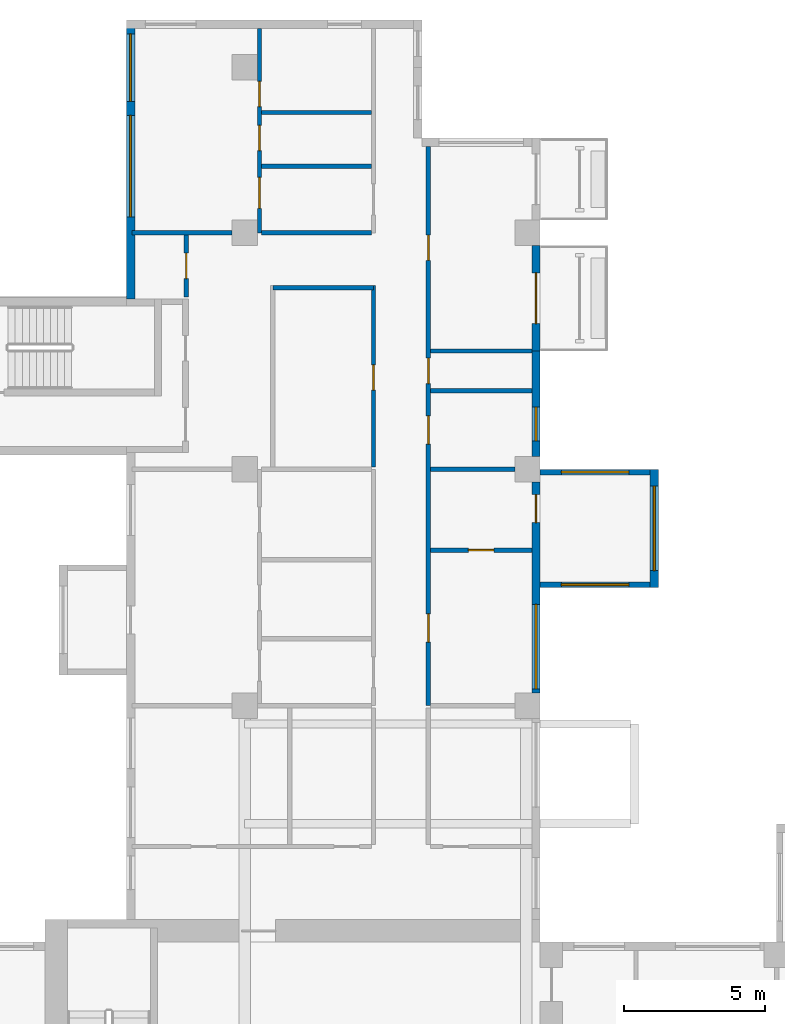
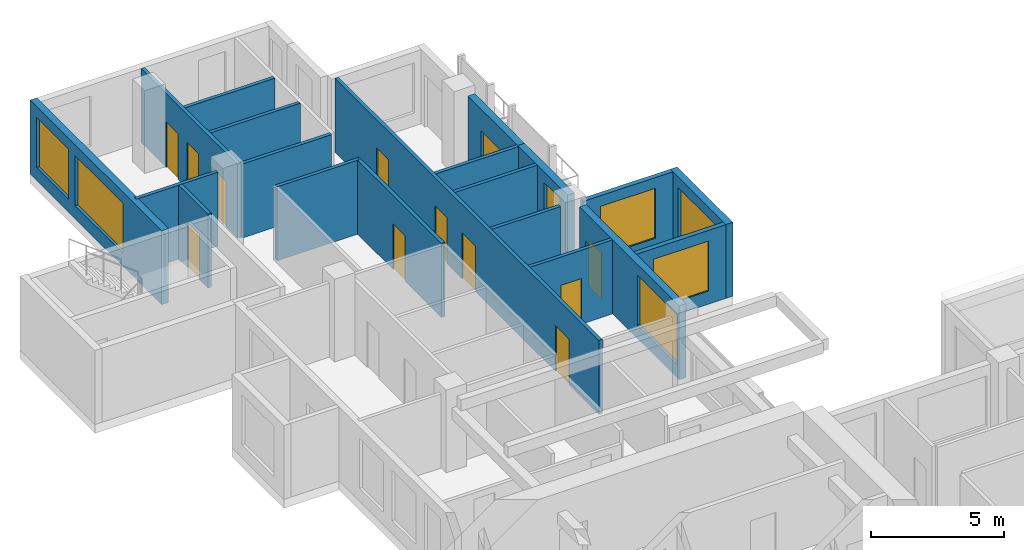
# One storey, part 7 of 11: 20 walls, 12 doors, 7 windows, 19 openings.
"""IFC4 building model written with IfcOpenShell, lengths in metres."""

from ifc_helpers import new_model, si_unit, direction, frame, frame_2d, origin, place, context, subcontext, project, spatial, rectangle, extrude, source, transform, mapped, material, layer, layer_set, type_object, element, fill, save


model = new_model("IFC4")

# Units and contexts
model_context = context("Model", 3, precision=1e-05, world=origin(), true_north=direction((0.0, 1.0)))
body_context = subcontext(model_context, "Body", "Model", "MODEL_VIEW")
ifc_project = project(units=[si_unit("LENGTHUNIT", "METRE"), si_unit("AREAUNIT", "SQUARE_METRE"), si_unit("VOLUMEUNIT", "CUBIC_METRE"), si_unit("PLANEANGLEUNIT", "RADIAN"), si_unit("MASSUNIT", "GRAM", prefix="KILO")], contexts=[model_context])

# Site, building, storey
site_placement = place(None, origin())
site = spatial("IfcSite", under=ifc_project, at=site_placement, CompositionType="ELEMENT")
building_placement = place(site_placement, origin())
building = spatial("IfcBuilding", under=site, at=building_placement, Name="Aurelian Terraces", CompositionType="ELEMENT")
storey_placement = place(building_placement, frame((0.0, 0.0, 208.2)))
storey = spatial("IfcBuildingStorey", under=building, at=storey_placement, Name="L46", CompositionType="ELEMENT", Elevation=208.2)

# Wall, openings, window, door
ifc_material_1 = material(Name="Terracotta rainscreen cladding", Category="masonry")
ifc_layer_1 = layer(ifc_material_1, 0.3)
ifc_layer_set_1 = layer_set([ifc_layer_1], Name="EW-300")
wall_type_1 = type_object("IfcWallType", Name="EW-300", PredefinedType="STANDARD", material=ifc_layer_set_1)
shared_shape_1 = source(origin(), body_context, "Body", "SweptSolid", [
    extrude(rectangle(XDim=7.5, YDim=0.3, at=frame_2d((3.75, 0.0))), origin(), (0.0, 0.0, 1.0), 3.4),
])
wall_1_placement = place(storey_placement, frame((20.85, 29.85, 0.0), z_axis=(0.0, 0.0, 1.0), x_axis=(0.0, 1.0, 0.0)))
wall_1 = element("IfcWall", 1, at=wall_1_placement, inside=storey, type_object=wall_type_1, Name="External wall L46 F12.23", PredefinedType="STANDARD", context=body_context, shape_type="MappedRepresentation", body=[
    mapped(shared_shape_1, transform((0.0, 0.0, 0.0), scale=1.0)),
])
shared_shape_2 = source(origin(), body_context, "Body", "SweptSolid", [
    extrude(rectangle(XDim=3.0, YDim=2.3, at=frame_2d((1.5, 1.15))), frame((0.0, 0.16, 0.0), z_axis=(0.0, -1.0, 0.0), x_axis=(1.0, 0.0, 0.0)), (0.0, 0.0, 1.0), 0.32),
])
opening_1_placement = place(wall_1_placement, frame((0.15, 0.0, 0.6)))
opening_1 = element("IfcOpeningElement", 2, at=opening_1_placement, cuts=wall_1, Name="Opening W3023", PredefinedType="OPENING", context=body_context, shape_type="MappedRepresentation", body=[
    mapped(shared_shape_2, transform((0.0, 0.0, 0.0), scale=1.0)),
])
shared_shape_3 = source(origin(), body_context, "Body", "SweptSolid", [
    extrude(rectangle(XDim=1.0, YDim=2.1, at=frame_2d((0.5, 1.05))), frame((0.0, 0.16, 0.0), z_axis=(0.0, -1.0, 0.0), x_axis=(1.0, 0.0, 0.0)), (0.0, 0.0, 1.0), 0.32),
])
opening_2_placement = place(wall_1_placement, frame((6.05, 0.0, 0.0)))
opening_2 = element("IfcOpeningElement", 3, at=opening_2_placement, cuts=wall_1, Name="Opening 846003", PredefinedType="OPENING", context=body_context, shape_type="MappedRepresentation", body=[
    mapped(shared_shape_3, transform((0.0, 0.0, 0.0), scale=1.0)),
])
ifc_material_2 = material(Name="Clear glazing", Category="glass")
window_type_1 = type_object("IfcWindowType", Name="W-3000x2300", PartitioningType="SINGLE_PANEL", PredefinedType="WINDOW", material=ifc_material_2)
shared_shape_4 = source(origin(), body_context, "Body", "SweptSolid", [
    extrude(rectangle(XDim=3.0, YDim=2.3, at=frame_2d((1.5, 1.15))), frame((0.0, 0.03, 0.0), z_axis=(0.0, -1.0, 0.0), x_axis=(1.0, 0.0, 0.0)), (0.0, 0.0, 1.0), 0.06),
])
window_1_placement = place(opening_1_placement, origin())
window_1 = element("IfcWindow", 4, at=window_1_placement, inside=storey, type_object=window_type_1, Name="Window L46 L46-F12-23-0", OverallHeight=2.3, OverallWidth=3.0, PartitioningType="SINGLE_PANEL", PredefinedType="WINDOW", context=body_context, shape_type="MappedRepresentation", body=[
    mapped(shared_shape_4, transform((0.0, 0.0, 0.0), scale=1.0)),
])
fill(opening_1, window_1)
ifc_material_3 = material(Name="Timber door leaf", Category="wood")
door_type_1 = type_object("IfcDoorType", Name="Room door 1000x2100 left", OperationType="SINGLE_SWING_LEFT", PredefinedType="DOOR", material=ifc_material_3)
shared_shape_5 = source(origin(), body_context, "Body", "SweptSolid", [
    extrude(rectangle(XDim=1.0, YDim=2.1, at=frame_2d((0.5, 1.05))), frame((0.0, 0.025, 0.0), z_axis=(0.0, -1.0, 0.0), x_axis=(1.0, 0.0, 0.0)), (0.0, 0.0, 1.0), 0.05),
])
door_1_placement = place(opening_2_placement, origin())
door_1 = element("IfcDoor", 5, at=door_1_placement, inside=storey, type_object=door_type_1, Name="Door 846003", OperationType="SINGLE_SWING_LEFT", OverallHeight=2.1, OverallWidth=1.0, PredefinedType="DOOR", context=body_context, shape_type="MappedRepresentation", body=[
    mapped(shared_shape_5, transform((0.0, 0.0, 0.0), scale=1.0)),
])
fill(opening_2, door_1)

# Wall, opening, window
shared_shape_6 = source(origin(), body_context, "Body", "SweptSolid", [
    extrude(rectangle(XDim=3.75, YDim=0.3, at=frame_2d((1.875, 0.0))), origin(), (0.0, 0.0, 1.0), 3.4),
])
wall_2_placement = place(storey_placement, frame((20.85, 38.25, 0.0), z_axis=(0.0, 0.0, 1.0), x_axis=(0.0, 1.0, 0.0)))
wall_2 = element("IfcWall", 6, at=wall_2_placement, inside=storey, type_object=wall_type_1, Name="External wall L46 F12.24", PredefinedType="STANDARD", context=body_context, shape_type="MappedRepresentation", body=[
    mapped(shared_shape_6, transform((0.0, 0.0, 0.0), scale=1.0)),
])
shared_shape_7 = source(origin(), body_context, "Body", "SweptSolid", [
    extrude(rectangle(XDim=1.2, YDim=2.3, at=frame_2d((0.6, 1.15))), frame((0.0, 0.16, 0.0), z_axis=(0.0, -1.0, 0.0), x_axis=(1.0, 0.0, 0.0)), (0.0, 0.0, 1.0), 0.32),
])
opening_3_placement = place(wall_2_placement, frame((0.557, 0.0, 0.6)))
opening_3 = element("IfcOpeningElement", 7, at=opening_3_placement, cuts=wall_2, Name="Opening W1223", PredefinedType="OPENING", context=body_context, shape_type="MappedRepresentation", body=[
    mapped(shared_shape_7, transform((0.0, 0.0, 0.0), scale=1.0)),
])
window_type_2 = type_object("IfcWindowType", Name="W-1200x2300", PartitioningType="SINGLE_PANEL", PredefinedType="WINDOW", material=ifc_material_2)
shared_shape_8 = source(origin(), body_context, "Body", "SweptSolid", [
    extrude(rectangle(XDim=1.2, YDim=2.3, at=frame_2d((0.6, 1.15))), frame((0.0, 0.03, 0.0), z_axis=(0.0, -1.0, 0.0), x_axis=(1.0, 0.0, 0.0)), (0.0, 0.0, 1.0), 0.06),
])
window_2_placement = place(opening_3_placement, origin())
window_2 = element("IfcWindow", 8, at=window_2_placement, inside=storey, type_object=window_type_2, Name="Window L46 L46-F12-24-0", OverallHeight=2.3, OverallWidth=1.2, PartitioningType="SINGLE_PANEL", PredefinedType="WINDOW", context=body_context, shape_type="MappedRepresentation", body=[
    mapped(shared_shape_8, transform((0.0, 0.0, 0.0), scale=1.0)),
])
fill(opening_3, window_2)

# Wall, opening, door
wall_3_placement = place(storey_placement, frame((20.85, 42.0, 0.0), z_axis=(0.0, 0.0, 1.0), x_axis=(0.0, 1.0, 0.0)))
wall_3 = element("IfcWall", 9, at=wall_3_placement, inside=storey, type_object=wall_type_1, Name="External wall L46 F12.25", PredefinedType="STANDARD", context=body_context, shape_type="MappedRepresentation", body=[
    mapped(shared_shape_6, transform((0.0, 0.0, 0.0), scale=1.0)),
])
shared_shape_9 = source(origin(), body_context, "Body", "SweptSolid", [
    extrude(rectangle(XDim=1.8, YDim=2.4, at=frame_2d((0.9, 1.2))), frame((0.0, 0.16, 0.0), z_axis=(0.0, -1.0, 0.0), x_axis=(1.0, 0.0, 0.0)), (0.0, 0.0, 1.0), 0.32),
])
opening_4_placement = place(wall_3_placement, frame((0.975, 0.0, 0.0)))
opening_4 = element("IfcOpeningElement", 10, at=opening_4_placement, cuts=wall_3, Name="Opening 84603", PredefinedType="OPENING", context=body_context, shape_type="MappedRepresentation", body=[
    mapped(shared_shape_9, transform((0.0, 0.0, 0.0), scale=1.0)),
])
door_type_2 = type_object("IfcDoorType", Name="BD-1800x2400", OperationType="SLIDING_TO_LEFT", PredefinedType="DOOR", material=ifc_material_2)
shared_shape_10 = source(origin(), body_context, "Body", "SweptSolid", [
    extrude(rectangle(XDim=1.8, YDim=2.4, at=frame_2d((0.9, 1.2))), frame((0.0, 0.025, 0.0), z_axis=(0.0, -1.0, 0.0), x_axis=(1.0, 0.0, 0.0)), (0.0, 0.0, 1.0), 0.05),
])
door_2_placement = place(opening_4_placement, origin())
door_2 = element("IfcDoor", 11, at=door_2_placement, inside=storey, type_object=door_type_2, Name="Balcony door L46 F12.25", OperationType="SLIDING_TO_LEFT", OverallHeight=2.4, OverallWidth=1.8, PredefinedType="DOOR", context=body_context, shape_type="MappedRepresentation", body=[
    mapped(shared_shape_10, transform((0.0, 0.0, 0.0), scale=1.0)),
])
fill(opening_4, door_2)

# Wall, opening, window
ifc_material_4 = material(Name="Concrete fc' 40 MPa", Category="concrete")
ifc_layer_2 = layer(ifc_material_4, 0.2)
ifc_layer_set_2 = layer_set([ifc_layer_2], Name="BOX BEARING WALL 200")
wall_type_2 = type_object("IfcWallType", Name="BOX BEARING WALL 200", PredefinedType="SOLIDWALL", material=ifc_layer_set_2)
shared_shape_11 = source(origin(), body_context, "Body", "SweptSolid", [
    extrude(rectangle(XDim=3.9, YDim=0.2, at=frame_2d((1.95, 0.0))), origin(), (0.0, 0.0, 1.0), 3.39),
])
wall_4_placement = place(storey_placement, frame((21.0, 33.7, 0.0), z_axis=(0.0, 0.0, 1.0), x_axis=(1.0, 0.0, 0.0)))
wall_4 = element("IfcWall", 12, at=wall_4_placement, inside=storey, type_object=wall_type_2, Name="Box return L46 J65.1", PredefinedType="SOLIDWALL", context=body_context, shape_type="MappedRepresentation", body=[
    mapped(shared_shape_11, transform((0.0, 0.0, 0.0), scale=1.0)),
])
shared_shape_12 = source(origin(), body_context, "Body", "SweptSolid", [
    extrude(rectangle(XDim=2.4, YDim=2.3, at=frame_2d((1.2, 1.15))), frame((0.0, 0.11, 0.0), z_axis=(0.0, -1.0, 0.0), x_axis=(1.0, 0.0, 0.0)), (0.0, 0.0, 1.0), 0.22),
])
opening_5_placement = place(wall_4_placement, frame((0.75, 0.0, 0.6)))
opening_5 = element("IfcOpeningElement", 13, at=opening_5_placement, cuts=wall_4, Name="Opening W2423", PredefinedType="OPENING", context=body_context, shape_type="MappedRepresentation", body=[
    mapped(shared_shape_12, transform((0.0, 0.0, 0.0), scale=1.0)),
])
window_type_3 = type_object("IfcWindowType", Name="W-2400x2300", PartitioningType="SINGLE_PANEL", PredefinedType="WINDOW", material=ifc_material_2)
shared_shape_13 = source(origin(), body_context, "Body", "SweptSolid", [
    extrude(rectangle(XDim=2.4, YDim=2.3, at=frame_2d((1.2, 1.15))), frame((0.0, 0.03, 0.0), z_axis=(0.0, -1.0, 0.0), x_axis=(1.0, 0.0, 0.0)), (0.0, 0.0, 1.0), 0.06),
])
window_3_placement = place(opening_5_placement, origin())
window_3 = element("IfcWindow", 14, at=window_3_placement, inside=storey, type_object=window_type_3, Name="Window L46 J65-S1", OverallHeight=2.3, OverallWidth=2.4, PartitioningType="SINGLE_PANEL", PredefinedType="WINDOW", context=body_context, shape_type="MappedRepresentation", body=[
    mapped(shared_shape_13, transform((0.0, 0.0, 0.0), scale=1.0)),
])
fill(opening_5, window_3)

wall_5_placement = place(storey_placement, frame((21.0, 37.7, 0.0), z_axis=(0.0, 0.0, 1.0), x_axis=(1.0, 0.0, 0.0)))
wall_5 = element("IfcWall", 15, at=wall_5_placement, inside=storey, type_object=wall_type_2, Name="Box return L46 J65.2", PredefinedType="SOLIDWALL", context=body_context, shape_type="MappedRepresentation", body=[
    mapped(shared_shape_11, transform((0.0, 0.0, 0.0), scale=1.0)),
])
opening_6_placement = place(wall_5_placement, frame((0.75, 0.0, 0.6)))
opening_6 = element("IfcOpeningElement", 16, at=opening_6_placement, cuts=wall_5, Name="Opening W2423", PredefinedType="OPENING", context=body_context, shape_type="MappedRepresentation", body=[
    mapped(shared_shape_12, transform((0.0, 0.0, 0.0), scale=1.0)),
])
window_4_placement = place(opening_6_placement, origin())
window_4 = element("IfcWindow", 17, at=window_4_placement, inside=storey, type_object=window_type_3, Name="Window L46 J65-S2", OverallHeight=2.3, OverallWidth=2.4, PartitioningType="SINGLE_PANEL", PredefinedType="WINDOW", context=body_context, shape_type="MappedRepresentation", body=[
    mapped(shared_shape_13, transform((0.0, 0.0, 0.0), scale=1.0)),
])
fill(opening_6, window_4)

ifc_layer_3 = layer(ifc_material_4, 0.3)
ifc_layer_set_3 = layer_set([ifc_layer_3], Name="BOX BEARING WALL 300")
wall_type_3 = type_object("IfcWallType", Name="BOX BEARING WALL 300", PredefinedType="SOLIDWALL", material=ifc_layer_set_3)
shared_shape_14 = source(origin(), body_context, "Body", "SweptSolid", [
    extrude(rectangle(XDim=4.2, YDim=0.3, at=frame_2d((2.1, 0.0))), origin(), (0.0, 0.0, 1.0), 3.39),
])
wall_6_placement = place(storey_placement, frame((25.05, 33.6, 0.0), z_axis=(0.0, 0.0, 1.0), x_axis=(0.0, 1.0, 0.0)))
wall_6 = element("IfcWall", 18, at=wall_6_placement, inside=storey, type_object=wall_type_3, Name="Box wall L46 J65", PredefinedType="SOLIDWALL", context=body_context, shape_type="MappedRepresentation", body=[
    mapped(shared_shape_14, transform((0.0, 0.0, 0.0), scale=1.0)),
])
opening_7_placement = place(wall_6_placement, frame((0.6, 0.0, 0.6)))
opening_7 = element("IfcOpeningElement", 19, at=opening_7_placement, cuts=wall_6, Name="Opening W3023", PredefinedType="OPENING", context=body_context, shape_type="MappedRepresentation", body=[
    mapped(shared_shape_2, transform((0.0, 0.0, 0.0), scale=1.0)),
])
window_5_placement = place(opening_7_placement, origin())
window_5 = element("IfcWindow", 20, at=window_5_placement, inside=storey, type_object=window_type_1, Name="Window L46 J65-F1", OverallHeight=2.3, OverallWidth=3.0, PartitioningType="SINGLE_PANEL", PredefinedType="WINDOW", context=body_context, shape_type="MappedRepresentation", body=[
    mapped(shared_shape_4, transform((0.0, 0.0, 0.0), scale=1.0)),
])
fill(opening_7, window_5)

# Wall, openings, windows
shared_shape_15 = source(origin(), body_context, "Body", "SweptSolid", [
    extrude(rectangle(XDim=9.91, YDim=0.3, at=frame_2d((4.955, 0.0))), origin(), (0.0, 0.0, 1.0), 3.4),
])
wall_7_placement = place(storey_placement, frame((6.45, 53.76, 0.0), z_axis=(0.0, 0.0, 1.0), x_axis=(0.0, -1.0, 0.0)))
wall_7 = element("IfcWall", 21, at=wall_7_placement, inside=storey, type_object=wall_type_1, Name="External wall L46 F16.31", PredefinedType="STANDARD", context=body_context, shape_type="MappedRepresentation", body=[
    mapped(shared_shape_15, transform((0.0, 0.0, 0.0), scale=1.0)),
])
shared_shape_16 = source(origin(), body_context, "Body", "SweptSolid", [
    extrude(rectangle(XDim=3.6, YDim=2.3, at=frame_2d((1.8, 1.15))), frame((0.0, 0.16, 0.0), z_axis=(0.0, -1.0, 0.0), x_axis=(1.0, 0.0, 0.0)), (0.0, 0.0, 1.0), 0.32),
])
opening_8_placement = place(wall_7_placement, frame((3.39, 0.0, 0.6)))
opening_8 = element("IfcOpeningElement", 22, at=opening_8_placement, cuts=wall_7, Name="Opening W3623", PredefinedType="OPENING", context=body_context, shape_type="MappedRepresentation", body=[
    mapped(shared_shape_16, transform((0.0, 0.0, 0.0), scale=1.0)),
])
shared_shape_17 = source(origin(), body_context, "Body", "SweptSolid", [
    extrude(rectangle(XDim=2.4, YDim=2.3, at=frame_2d((1.2, 1.15))), frame((0.0, 0.16, 0.0), z_axis=(0.0, -1.0, 0.0), x_axis=(1.0, 0.0, 0.0)), (0.0, 0.0, 1.0), 0.32),
])
opening_9_placement = place(wall_7_placement, frame((0.495, 0.0, 0.6)))
opening_9 = element("IfcOpeningElement", 23, at=opening_9_placement, cuts=wall_7, Name="Opening W2423", PredefinedType="OPENING", context=body_context, shape_type="MappedRepresentation", body=[
    mapped(shared_shape_17, transform((0.0, 0.0, 0.0), scale=1.0)),
])
window_type_4 = type_object("IfcWindowType", Name="W-3600x2300", PartitioningType="SINGLE_PANEL", PredefinedType="WINDOW", material=ifc_material_2)
shared_shape_18 = source(origin(), body_context, "Body", "SweptSolid", [
    extrude(rectangle(XDim=3.6, YDim=2.3, at=frame_2d((1.8, 1.15))), frame((0.0, 0.03, 0.0), z_axis=(0.0, -1.0, 0.0), x_axis=(1.0, 0.0, 0.0)), (0.0, 0.0, 1.0), 0.06),
])
window_6_placement = place(opening_8_placement, origin())
window_6 = element("IfcWindow", 24, at=window_6_placement, inside=storey, type_object=window_type_4, Name="Window L46 L46-F16-31-1", OverallHeight=2.3, OverallWidth=3.6, PartitioningType="SINGLE_PANEL", PredefinedType="WINDOW", context=body_context, shape_type="MappedRepresentation", body=[
    mapped(shared_shape_18, transform((0.0, 0.0, 0.0), scale=1.0)),
])
fill(opening_8, window_6)
window_7_placement = place(opening_9_placement, origin())
window_7 = element("IfcWindow", 25, at=window_7_placement, inside=storey, type_object=window_type_3, Name="Window L46 L46-F16-31-G0-0", OverallHeight=2.3, OverallWidth=2.4, PartitioningType="SINGLE_PANEL", PredefinedType="WINDOW", context=body_context, shape_type="MappedRepresentation", body=[
    mapped(shared_shape_13, transform((0.0, 0.0, 0.0), scale=1.0)),
])
fill(opening_9, window_7)

# Wall, opening, door
ifc_material_5 = material(Name="Gypsum board on steel studs", Category="steel")
ifc_layer_4 = layer(ifc_material_5, 0.15)
ifc_layer_set_4 = layer_set([ifc_layer_4], Name="Fire partition 150")
wall_type_4 = type_object("IfcWallType", Name="Fire partition 150", PredefinedType="PARTITIONING", material=ifc_layer_set_4)
shared_shape_19 = source(origin(), body_context, "Body", "SweptSolid", [
    extrude(rectangle(XDim=6.45, YDim=0.15, at=frame_2d((3.225, 0.0))), origin(), (0.0, 0.0, 1.0), 3.4),
])
wall_8_placement = place(storey_placement, frame((15.075, 37.875, 0.0), z_axis=(0.0, 0.0, 1.0), x_axis=(0.0, 1.0, 0.0)))
wall_8 = element("IfcWall", 26, at=wall_8_placement, inside=storey, type_object=wall_type_4, Name="Corridor wall", PredefinedType="PARTITIONING", context=body_context, shape_type="MappedRepresentation", body=[
    mapped(shared_shape_19, transform((0.0, 0.0, 0.0), scale=1.0)),
])
shared_shape_20 = source(origin(), body_context, "Body", "SweptSolid", [
    extrude(rectangle(XDim=0.9, YDim=2.1, at=frame_2d((0.45, 1.05))), frame((0.0, 0.085, 0.0), z_axis=(0.0, -1.0, 0.0), x_axis=(1.0, 0.0, 0.0)), (0.0, 0.0, 1.0), 0.17),
])
opening_10_placement = place(wall_8_placement, frame((2.7375, 0.0, 0.0)))
opening_10 = element("IfcOpeningElement", 27, at=opening_10_placement, cuts=wall_8, Name="Opening 746019", PredefinedType="OPENING", context=body_context, shape_type="MappedRepresentation", body=[
    mapped(shared_shape_20, transform((0.0, 0.0, 0.0), scale=1.0)),
])
door_type_3 = type_object("IfcDoorType", Name="Room door 900x2100 right", OperationType="SINGLE_SWING_RIGHT", PredefinedType="DOOR", material=ifc_material_3)
shared_shape_21 = source(origin(), body_context, "Body", "SweptSolid", [
    extrude(rectangle(XDim=0.9, YDim=2.1, at=frame_2d((0.45, 1.05))), frame((0.0, 0.025, 0.0), z_axis=(0.0, -1.0, 0.0), x_axis=(1.0, 0.0, 0.0)), (0.0, 0.0, 1.0), 0.05),
])
door_3_placement = place(opening_10_placement, origin())
door_3 = element("IfcDoor", 28, at=door_3_placement, inside=storey, type_object=door_type_3, Name="Door 746019", OperationType="SINGLE_SWING_RIGHT", OverallHeight=2.1, OverallWidth=0.9, PredefinedType="DOOR", context=body_context, shape_type="MappedRepresentation", body=[
    mapped(shared_shape_21, transform((0.0, 0.0, 0.0), scale=1.0)),
])
fill(opening_10, door_3)

# Walls
ifc_layer_5 = layer(ifc_material_5, 0.15)
ifc_layer_set_5 = layer_set([ifc_layer_5], Name="Partition 150")
wall_type_5 = type_object("IfcWallType", Name="Partition 150", PredefinedType="PARTITIONING", material=ifc_layer_set_5)
shared_shape_22 = source(origin(), body_context, "Body", "SweptSolid", [
    extrude(rectangle(XDim=3.9, YDim=0.15, at=frame_2d((1.95, 0.0))), origin(), (0.0, 0.0, 1.0), 3.4),
])
for number, where, z_axis, x_axis, name in (
    (29, (15.0, 48.5681, 0.0), (0.0, 0.0, 1.0), (-1.0, 0.0, 0.0), "Partition"),
    (30, (15.0, 50.4718, 0.0), (0.0, 0.0, 1.0), (-1.0, 0.0, 0.0), "Partition"),
):
    element("IfcWall", number, at=place(storey_placement, frame(where, z_axis=z_axis, x_axis=x_axis)), inside=storey, type_object=wall_type_5, Name=name, PredefinedType="PARTITIONING", context=body_context, shape_type="MappedRepresentation", body=[
        mapped(shared_shape_22, transform((0.0, 0.0, 0.0), scale=1.0)),
    ])
wall_9_placement = place(storey_placement, frame((15.0, 46.2, 0.0), z_axis=(0.0, 0.0, 1.0), x_axis=(-1.0, 0.0, 0.0)))
element("IfcWall", 31, at=wall_9_placement, inside=storey, type_object=wall_type_4, Name="Party wall", PredefinedType="PARTITIONING", context=body_context, shape_type="MappedRepresentation", body=[
    mapped(shared_shape_22, transform((0.0, 0.0, 0.0), scale=1.0)),
])

# Wall, opening, door
shared_shape_23 = source(origin(), body_context, "Body", "SweptSolid", [
    extrude(rectangle(XDim=3.6, YDim=0.15, at=frame_2d((1.8, 0.0))), origin(), (0.0, 0.0, 1.0), 3.4),
])
wall_10_placement = place(storey_placement, frame((17.1, 34.925, 0.0), z_axis=(0.0, 0.0, 1.0), x_axis=(1.0, 0.0, 0.0)))
wall_10 = element("IfcWall", 32, at=wall_10_placement, inside=storey, type_object=wall_type_5, Name="Partition", PredefinedType="PARTITIONING", context=body_context, shape_type="MappedRepresentation", body=[
    mapped(shared_shape_23, transform((0.0, 0.0, 0.0), scale=1.0)),
])
opening_11_placement = place(wall_10_placement, frame((1.35, 0.0, 0.0)))
opening_11 = element("IfcOpeningElement", 33, at=opening_11_placement, cuts=wall_10, Name="Opening 746030", PredefinedType="OPENING", context=body_context, shape_type="MappedRepresentation", body=[
    mapped(shared_shape_20, transform((0.0, 0.0, 0.0), scale=1.0)),
])
door_4_placement = place(opening_11_placement, origin())
door_4 = element("IfcDoor", 34, at=door_4_placement, inside=storey, type_object=door_type_3, Name="Door 746030", OperationType="SINGLE_SWING_RIGHT", OverallHeight=2.1, OverallWidth=0.9, PredefinedType="DOOR", context=body_context, shape_type="MappedRepresentation", body=[
    mapped(shared_shape_21, transform((0.0, 0.0, 0.0), scale=1.0)),
])
fill(opening_11, door_4)

# Walls
wall_11_placement = place(storey_placement, frame((17.1, 40.5885, 0.0), z_axis=(0.0, 0.0, 1.0), x_axis=(1.0, 0.0, 0.0)))
element("IfcWall", 35, at=wall_11_placement, inside=storey, type_object=wall_type_5, Name="Partition", PredefinedType="PARTITIONING", context=body_context, shape_type="MappedRepresentation", body=[
    mapped(shared_shape_23, transform((0.0, 0.0, 0.0), scale=1.0)),
])
wall_12_placement = place(storey_placement, frame((20.7, 42.0, 0.0), z_axis=(0.0, 0.0, 1.0), x_axis=(-1.0, 0.0, 0.0)))
element("IfcWall", 36, at=wall_12_placement, inside=storey, type_object=wall_type_4, Name="Party wall", PredefinedType="PARTITIONING", context=body_context, shape_type="MappedRepresentation", body=[
    mapped(shared_shape_23, transform((0.0, 0.0, 0.0), scale=1.0)),
])
shared_shape_24 = source(origin(), body_context, "Body", "SweptSolid", [
    extrude(rectangle(XDim=3.001, YDim=0.15, at=frame_2d((1.5005, 0.0))), origin(), (0.0, 0.0, 1.0), 3.4),
])
wall_13_placement = place(storey_placement, frame((20.101, 37.8, 0.0), z_axis=(0.0, 0.0, 1.0), x_axis=(-1.0, 0.0, 0.0)))
element("IfcWall", 37, at=wall_13_placement, inside=storey, type_object=wall_type_4, Name="Party wall", PredefinedType="PARTITIONING", context=body_context, shape_type="MappedRepresentation", body=[
    mapped(shared_shape_24, transform((0.0, 0.0, 0.0), scale=1.0)),
])

# Wall, opening, door
shared_shape_25 = source(origin(), body_context, "Body", "SweptSolid", [
    extrude(rectangle(XDim=2.2, YDim=0.15, at=frame_2d((1.1, 0.0))), origin(), (0.0, 0.0, 1.0), 3.4),
])
wall_14_placement = place(storey_placement, frame((8.425, 43.925, 0.0), z_axis=(0.0, 0.0, 1.0), x_axis=(0.0, 1.0, 0.0)))
wall_14 = element("IfcWall", 38, at=wall_14_placement, inside=storey, type_object=wall_type_5, Name="Partition", PredefinedType="PARTITIONING", context=body_context, shape_type="MappedRepresentation", body=[
    mapped(shared_shape_25, transform((0.0, 0.0, 0.0), scale=1.0)),
])
opening_12_placement = place(wall_14_placement, frame((0.65, 0.0, 0.0)))
opening_12 = element("IfcOpeningElement", 39, at=opening_12_placement, cuts=wall_14, Name="Opening 746020", PredefinedType="OPENING", context=body_context, shape_type="MappedRepresentation", body=[
    mapped(shared_shape_20, transform((0.0, 0.0, 0.0), scale=1.0)),
])
door_5_placement = place(opening_12_placement, origin())
door_5 = element("IfcDoor", 40, at=door_5_placement, inside=storey, type_object=door_type_3, Name="Door 746020", OperationType="SINGLE_SWING_RIGHT", OverallHeight=2.1, OverallWidth=0.9, PredefinedType="DOOR", context=body_context, shape_type="MappedRepresentation", body=[
    mapped(shared_shape_21, transform((0.0, 0.0, 0.0), scale=1.0)),
])
fill(opening_12, door_5)

# Wall
shared_shape_26 = source(origin(), body_context, "Body", "SweptSolid", [
    extrude(rectangle(XDim=3.546, YDim=0.15, at=frame_2d((1.773, 0.0))), origin(), (0.0, 0.0, 1.0), 3.4),
])
wall_15_placement = place(storey_placement, frame((10.051, 46.2, 0.0), z_axis=(0.0, 0.0, 1.0), x_axis=(-1.0, 0.0, 0.0)))
element("IfcWall", 41, at=wall_15_placement, inside=storey, type_object=wall_type_4, Name="Party wall", PredefinedType="PARTITIONING", context=body_context, shape_type="MappedRepresentation", body=[
    mapped(shared_shape_26, transform((0.0, 0.0, 0.0), scale=1.0)),
])

# Wall, openings, doors
shared_shape_27 = source(origin(), body_context, "Body", "SweptSolid", [
    extrude(rectangle(XDim=7.26, YDim=0.15, at=frame_2d((3.63, 0.0))), origin(), (0.0, 0.0, 1.0), 3.4),
])
wall_16_placement = place(storey_placement, frame((11.025, 46.2, 0.0), z_axis=(0.0, 0.0, 1.0), x_axis=(0.0, 1.0, 0.0)))
wall_16 = element("IfcWall", 42, at=wall_16_placement, inside=storey, type_object=wall_type_5, Name="Partition", PredefinedType="PARTITIONING", context=body_context, shape_type="MappedRepresentation", body=[
    mapped(shared_shape_27, transform((0.0, 0.0, 0.0), scale=1.0)),
])
shared_shape_28 = source(origin(), body_context, "Body", "SweptSolid", [
    extrude(rectangle(XDim=1.1, YDim=2.1, at=frame_2d((0.55, 1.05))), frame((0.0, 0.085, 0.0), z_axis=(0.0, -1.0, 0.0), x_axis=(1.0, 0.0, 0.0)), (0.0, 0.0, 1.0), 0.17),
])
opening_13_placement = place(wall_16_placement, frame((0.8715, 0.0, 0.0)))
opening_13 = element("IfcOpeningElement", 43, at=opening_13_placement, cuts=wall_16, Name="Opening 746026", PredefinedType="OPENING", context=body_context, shape_type="MappedRepresentation", body=[
    mapped(shared_shape_28, transform((0.0, 0.0, 0.0), scale=1.0)),
])
opening_14_placement = place(wall_16_placement, frame((2.9199, 0.0, 0.0)))
opening_14 = element("IfcOpeningElement", 44, at=opening_14_placement, cuts=wall_16, Name="Opening 746027", PredefinedType="OPENING", context=body_context, shape_type="MappedRepresentation", body=[
    mapped(shared_shape_20, transform((0.0, 0.0, 0.0), scale=1.0)),
])
opening_15_placement = place(wall_16_placement, frame((4.4784, 0.0, 0.0)))
opening_15 = element("IfcOpeningElement", 45, at=opening_15_placement, cuts=wall_16, Name="Opening 746028", PredefinedType="OPENING", context=body_context, shape_type="MappedRepresentation", body=[
    mapped(shared_shape_20, transform((0.0, 0.0, 0.0), scale=1.0)),
])
door_type_4 = type_object("IfcDoorType", Name="Room door 900x2100 left", OperationType="SINGLE_SWING_LEFT", PredefinedType="DOOR", material=ifc_material_3)
door_6_placement = place(opening_14_placement, origin())
door_6 = element("IfcDoor", 46, at=door_6_placement, inside=storey, type_object=door_type_4, Name="Door 746027", OperationType="SINGLE_SWING_LEFT", OverallHeight=2.1, OverallWidth=0.9, PredefinedType="DOOR", context=body_context, shape_type="MappedRepresentation", body=[
    mapped(shared_shape_21, transform((0.0, 0.0, 0.0), scale=1.0)),
])
fill(opening_14, door_6)
door_7_placement = place(opening_15_placement, origin())
door_7 = element("IfcDoor", 47, at=door_7_placement, inside=storey, type_object=door_type_3, Name="Door 746028", OperationType="SINGLE_SWING_RIGHT", OverallHeight=2.1, OverallWidth=0.9, PredefinedType="DOOR", context=body_context, shape_type="MappedRepresentation", body=[
    mapped(shared_shape_21, transform((0.0, 0.0, 0.0), scale=1.0)),
])
fill(opening_15, door_7)
door_type_5 = type_object("IfcDoorType", Name="Room door 1100x2100 right", OperationType="SINGLE_SWING_RIGHT", PredefinedType="DOOR", material=ifc_material_3)
shared_shape_29 = source(origin(), body_context, "Body", "SweptSolid", [
    extrude(rectangle(XDim=1.1, YDim=2.1, at=frame_2d((0.55, 1.05))), frame((0.0, 0.025, 0.0), z_axis=(0.0, -1.0, 0.0), x_axis=(1.0, 0.0, 0.0)), (0.0, 0.0, 1.0), 0.05),
])
door_8_placement = place(opening_13_placement, origin())
door_8 = element("IfcDoor", 48, at=door_8_placement, inside=storey, type_object=door_type_5, Name="Door 746026", OperationType="SINGLE_SWING_RIGHT", OverallHeight=2.1, OverallWidth=1.1, PredefinedType="DOOR", context=body_context, shape_type="MappedRepresentation", body=[
    mapped(shared_shape_29, transform((0.0, 0.0, 0.0), scale=1.0)),
])
fill(opening_13, door_8)

# Wall
shared_shape_30 = source(origin(), body_context, "Body", "SweptSolid", [
    extrude(rectangle(XDim=3.575, YDim=0.15, at=frame_2d((1.7875, 0.0))), origin(), (0.0, 0.0, 1.0), 3.4),
])
wall_17_placement = place(storey_placement, frame((15.075, 44.25, 0.0), z_axis=(0.0, 0.0, 1.0), x_axis=(-1.0, 0.0, 0.0)))
element("IfcWall", 49, at=wall_17_placement, inside=storey, type_object=wall_type_5, Name="Partition", PredefinedType="PARTITIONING", context=body_context, shape_type="MappedRepresentation", body=[
    mapped(shared_shape_30, transform((0.0, 0.0, 0.0), scale=1.0)),
])

# Wall, openings, doors
shared_shape_31 = source(origin(), body_context, "Body", "SweptSolid", [
    extrude(rectangle(XDim=19.86, YDim=0.15, at=frame_2d((9.93, 0.0))), origin(), (0.0, 0.0, 1.0), 3.4),
])
wall_18_placement = place(storey_placement, frame((17.025, 49.26, 0.0), z_axis=(0.0, 0.0, 1.0), x_axis=(0.0, -1.0, 0.0)))
wall_18 = element("IfcWall", 50, at=wall_18_placement, inside=storey, type_object=wall_type_4, Name="Corridor wall", PredefinedType="PARTITIONING", context=body_context, shape_type="MappedRepresentation", body=[
    mapped(shared_shape_31, transform((0.0, 0.0, 0.0), scale=1.0)),
])
shared_shape_32 = source(origin(), body_context, "Body", "SweptSolid", [
    extrude(rectangle(XDim=1.0, YDim=2.1, at=frame_2d((0.5, 1.05))), frame((0.0, 0.085, 0.0), z_axis=(0.0, -1.0, 0.0), x_axis=(1.0, 0.0, 0.0)), (0.0, 0.0, 1.0), 0.17),
])
opening_16_placement = place(wall_18_placement, frame((16.5975, 0.0, 0.0)))
opening_16 = element("IfcOpeningElement", 51, at=opening_16_placement, cuts=wall_18, Name="Opening 746029", PredefinedType="OPENING", context=body_context, shape_type="MappedRepresentation", body=[
    mapped(shared_shape_32, transform((0.0, 0.0, 0.0), scale=1.0)),
])
opening_17_placement = place(wall_18_placement, frame((9.5658, 0.0, 0.0)))
opening_17 = element("IfcOpeningElement", 52, at=opening_17_placement, cuts=wall_18, Name="Opening 746031", PredefinedType="OPENING", context=body_context, shape_type="MappedRepresentation", body=[
    mapped(shared_shape_32, transform((0.0, 0.0, 0.0), scale=1.0)),
])
opening_18_placement = place(wall_18_placement, frame((7.5158, 0.0, 0.0)))
opening_18 = element("IfcOpeningElement", 53, at=opening_18_placement, cuts=wall_18, Name="Opening 746032", PredefinedType="OPENING", context=body_context, shape_type="MappedRepresentation", body=[
    mapped(shared_shape_20, transform((0.0, 0.0, 0.0), scale=1.0)),
])
opening_19_placement = place(wall_18_placement, frame((3.1425, 0.0, 0.0)))
opening_19 = element("IfcOpeningElement", 54, at=opening_19_placement, cuts=wall_18, Name="Opening 746033", PredefinedType="OPENING", context=body_context, shape_type="MappedRepresentation", body=[
    mapped(shared_shape_20, transform((0.0, 0.0, 0.0), scale=1.0)),
])
ifc_material_6 = material(Name="Steel door leaf", Category="steel")
door_type_6 = type_object("IfcDoorType", Name="Entrance fire door 1000x2100 left", OperationType="SINGLE_SWING_LEFT", PredefinedType="DOOR", material=ifc_material_6)
door_9_placement = place(opening_16_placement, origin())
door_9 = element("IfcDoor", 55, at=door_9_placement, inside=storey, type_object=door_type_6, Name="Door 746029", OperationType="SINGLE_SWING_LEFT", OverallHeight=2.1, OverallWidth=1.0, PredefinedType="DOOR", context=body_context, shape_type="MappedRepresentation", body=[
    mapped(shared_shape_5, transform((0.0, 0.0, 0.0), scale=1.0)),
])
fill(opening_16, door_9)
door_10_placement = place(opening_17_placement, origin())
door_10 = element("IfcDoor", 56, at=door_10_placement, inside=storey, type_object=door_type_6, Name="Door 746031", OperationType="SINGLE_SWING_LEFT", OverallHeight=2.1, OverallWidth=1.0, PredefinedType="DOOR", context=body_context, shape_type="MappedRepresentation", body=[
    mapped(shared_shape_5, transform((0.0, 0.0, 0.0), scale=1.0)),
])
fill(opening_17, door_10)
door_type_7 = type_object("IfcDoorType", Name="Entrance fire door 900x2100 right", OperationType="SINGLE_SWING_RIGHT", PredefinedType="DOOR", material=ifc_material_6)
door_11_placement = place(opening_18_placement, origin())
door_11 = element("IfcDoor", 57, at=door_11_placement, inside=storey, type_object=door_type_7, Name="Door 746032", OperationType="SINGLE_SWING_RIGHT", OverallHeight=2.1, OverallWidth=0.9, PredefinedType="DOOR", context=body_context, shape_type="MappedRepresentation", body=[
    mapped(shared_shape_21, transform((0.0, 0.0, 0.0), scale=1.0)),
])
fill(opening_18, door_11)
door_type_8 = type_object("IfcDoorType", Name="Entrance fire door 900x2100 left", OperationType="SINGLE_SWING_LEFT", PredefinedType="DOOR", material=ifc_material_6)
door_12_placement = place(opening_19_placement, origin())
door_12 = element("IfcDoor", 58, at=door_12_placement, inside=storey, type_object=door_type_8, Name="Door 746033", OperationType="SINGLE_SWING_LEFT", OverallHeight=2.1, OverallWidth=0.9, PredefinedType="DOOR", context=body_context, shape_type="MappedRepresentation", body=[
    mapped(shared_shape_21, transform((0.0, 0.0, 0.0), scale=1.0)),
])
fill(opening_19, door_12)

save(model, "model.ifc")
